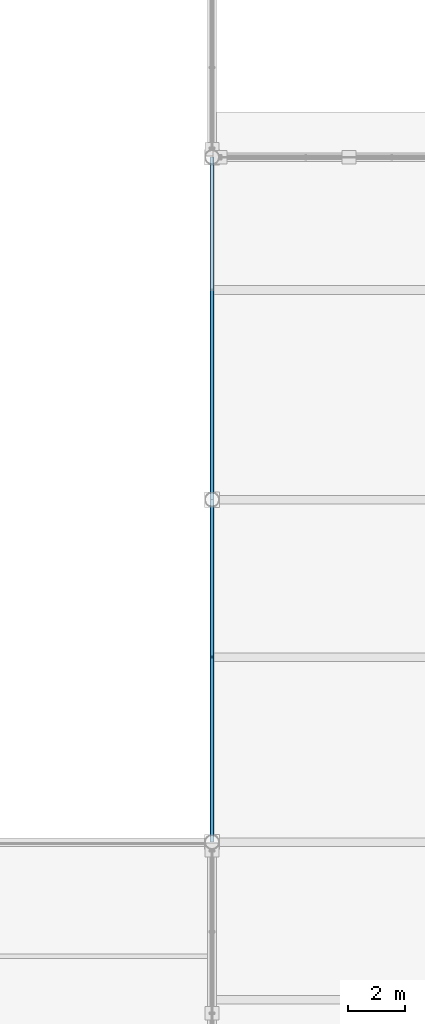
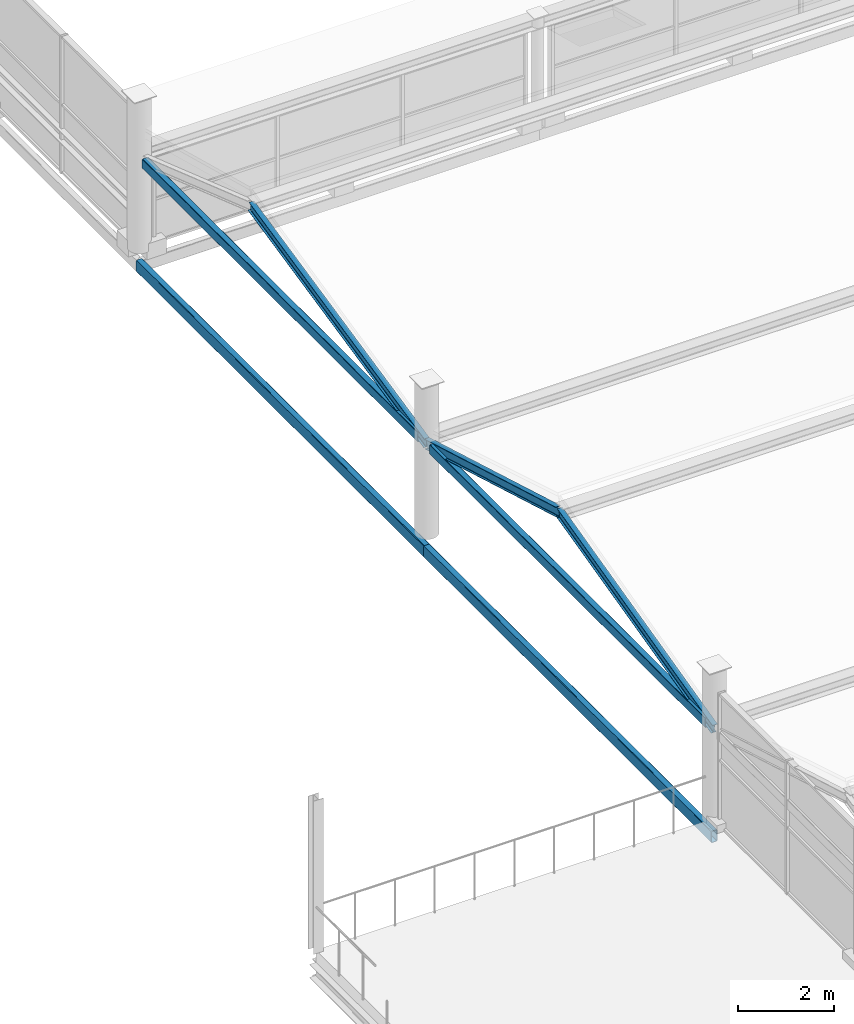
# One storey, part 55 of 117: 4 beams, 3 members.
"""IFC4 building model written with IfcOpenShell, lengths in metres."""

from ifc_helpers import new_model, si_unit, direction, frame, origin, origin_2d, place, context, subcontext, project, spatial, hollow_rectangle, i_section, extrude, material, material_profile, profile_set, type_object, element, save


model = new_model("IFC4")

# Units and contexts
model_context = context("Model", 3, precision=1e-05, world=origin(), true_north=direction((0.0, 1.0)))
body_context = subcontext(model_context, "Body", "Model", "MODEL_VIEW")
ifc_project = project(units=[si_unit("LENGTHUNIT", "METRE"), si_unit("AREAUNIT", "SQUARE_METRE"), si_unit("VOLUMEUNIT", "CUBIC_METRE"), si_unit("PLANEANGLEUNIT", "RADIAN"), si_unit("MASSUNIT", "GRAM", prefix="KILO")], contexts=[model_context])

# Site, building, storey
site_placement = place(None, origin())
site = spatial("IfcSite", under=ifc_project, at=site_placement, CompositionType="ELEMENT")
building_placement = place(site_placement, origin())
building = spatial("IfcBuilding", under=site, at=building_placement, Name="Merenkruunu Market Hall", CompositionType="ELEMENT")
storey_placement = place(building_placement, frame((0.0, 0.0, 10.199951171875)))
storey = spatial("IfcBuildingStorey", under=building, at=storey_placement, Name="L02", CompositionType="ELEMENT", Elevation=10.199951171875)

# Beams
ifc_material_1 = material(Name="Steel S355J2", Category="steel")
ifc_material_profile_1 = material_profile(ifc_material_1, hollow_rectangle(XDim=0.14990234375, YDim=0.300048828125, WallThickness=0.012451171875, InnerFilletRadius=0.012451171875, OuterFilletRadius=0.02490234375, at=origin_2d()), Name="RHS 300x150x12.5")
ifc_profile_set_1 = profile_set([ifc_material_profile_1], Name="Steel S355J2")
beam_type_1 = type_object("IfcBeamType", Name="Perimeter Spandrel Beam SP03", PredefinedType="SPANDREL", material=ifc_profile_set_1)
for number, where, z_axis, x_axis, name in (
    (1, (57.60009765625, 75.60009765625, -0.4599609375), (0.0, 1.0, 0.0), (-1.0, 0.0, 0.0), "BM-L02-SP03-1229"),
    (2, (57.60009765625, 87.60009765625, -0.4599609375), (0.0, 1.0, 0.0), (-1.0, 0.0, 0.0), "BM-L02-SP03-1232"),
):
    element("IfcBeam", number, at=place(storey_placement, frame(where, z_axis=z_axis, x_axis=x_axis)), inside=storey, type_object=beam_type_1, Name=name, PredefinedType="SPANDREL", context=body_context, shape_type="SweptSolid", body=[
        extrude(hollow_rectangle(XDim=0.14990234375, YDim=0.300048828125, WallThickness=0.012451171875, InnerFilletRadius=0.012451171875, OuterFilletRadius=0.02490234375, at=origin_2d()), origin(), (0.0, 0.0, 1.0), 12.0),
    ])
ifc_material_profile_2 = material_profile(ifc_material_1, hollow_rectangle(XDim=0.14990234375, YDim=0.25, WallThickness=0.010009765625, InnerFilletRadius=0.010009765625, OuterFilletRadius=0.02001953125, at=origin_2d()), Name="RHS 250x150x10")
ifc_profile_set_2 = profile_set([ifc_material_profile_2], Name="Steel S355J2")
beam_type_2 = type_object("IfcBeamType", Name="Perimeter Spandrel Beam SP04", PredefinedType="SPANDREL", material=ifc_profile_set_2)
for number, where, z_axis, x_axis, name in (
    (3, (57.60009765625, 75.85009765625, 2.295166015625), (0.0, 1.0, 0.0), (-1.0, 0.0, 0.0), "BM-L02-SP04-1286"),
    (4, (57.60009765625, 87.85009765625, 2.295166015625), (0.0, 1.0, 0.0), (-1.0, 0.0, 0.0), "BM-L02-SP04-1290"),
):
    element("IfcBeam", number, at=place(storey_placement, frame(where, z_axis=z_axis, x_axis=x_axis)), inside=storey, type_object=beam_type_2, Name=name, PredefinedType="SPANDREL", context=body_context, shape_type="SweptSolid", body=[
        extrude(hollow_rectangle(XDim=0.14990234375, YDim=0.25, WallThickness=0.010009765625, InnerFilletRadius=0.010009765625, OuterFilletRadius=0.02001953125, at=origin_2d()), origin(), (0.0, 0.0, 1.0), 11.5),
    ])

# Members
ifc_material_2 = material(Name="Steel S355ML", Category="steel")
ifc_material_profile_3 = material_profile(ifc_material_2, i_section(OverallWidth=0.1201171875, OverallDepth=0.239990234375, WebThickness=0.006103515625, FlangeThickness=0.009765625, FilletRadius=0.014892578125, at=origin_2d()), Name="IPE 240")
ifc_profile_set_3 = profile_set([ifc_material_profile_3], Name="Steel S355ML")
member_type = type_object("IfcMemberType", Name="Roof Purlin Rafter PR02", PredefinedType="PURLIN", material=ifc_profile_set_3)
member_1_placement = place(storey_placement, frame((57.60009765625, 75.60009765625, 2.280029296875), z_axis=(0.0, 0.970839870255, 0.239728901727), x_axis=(-1.0, 0.0, 0.0)))
element("IfcMember", 5, at=member_1_placement, inside=storey, type_object=member_type, Name="MEM-V4-SAWR-021", PredefinedType="PURLIN", context=body_context, shape_type="SweptSolid", body=[
    extrude(i_section(OverallWidth=0.1201171875, OverallDepth=0.239990234375, WebThickness=0.006103515625, FlangeThickness=0.009765625, FilletRadius=0.014892578125, at=origin_2d()), origin(), (0.0, 0.0, 1.0), 6.674560546875),
])
member_2_placement = place(storey_placement, frame((57.60009765625, 82.080078125, 3.880126953125), z_axis=(0.0, 0.960462085918, -0.27841081429), x_axis=(-1.0, 0.0, 0.0)))
element("IfcMember", 6, at=member_2_placement, inside=storey, type_object=member_type, Name="MEM-V4-SAWR-022", PredefinedType="PURLIN", context=body_context, shape_type="SweptSolid", body=[
    extrude(i_section(OverallWidth=0.1201171875, OverallDepth=0.239990234375, WebThickness=0.006103515625, FlangeThickness=0.009765625, FilletRadius=0.014892578125, at=origin_2d()), origin(), (0.0, 0.0, 1.0), 5.747314453125),
])
member_3_placement = place(storey_placement, frame((57.60009765625, 87.60009765625, 2.280029296875), z_axis=(0.0, 0.977077465091, 0.212884069885), x_axis=(-1.0, 0.0, 0.0)))
element("IfcMember", 7, at=member_3_placement, inside=storey, type_object=member_type, Name="MEM-V4-SAWR-025", PredefinedType="PURLIN", context=body_context, shape_type="SweptSolid", body=[
    extrude(i_section(OverallWidth=0.1201171875, OverallDepth=0.239990234375, WebThickness=0.006103515625, FlangeThickness=0.009765625, FilletRadius=0.014892578125, at=origin_2d()), origin(), (0.0, 0.0, 1.0), 7.516357421875),
])

save(model, "model.ifc")
